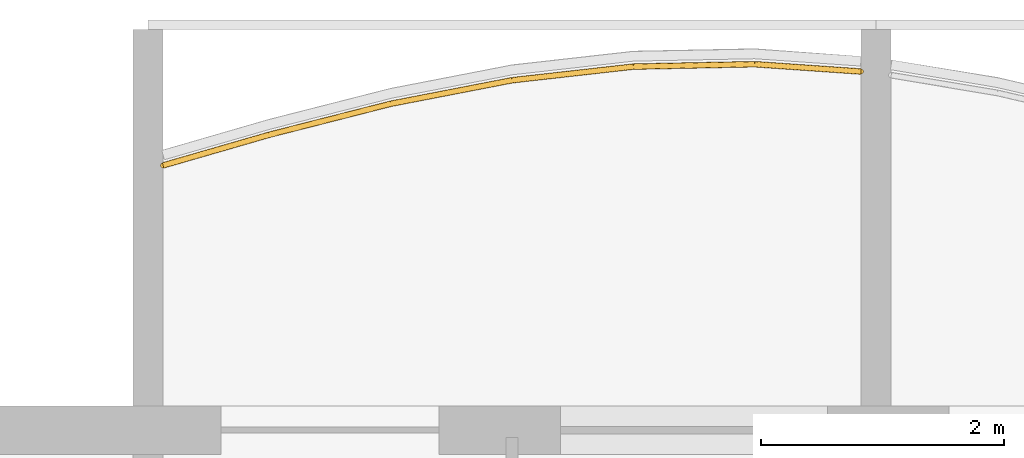
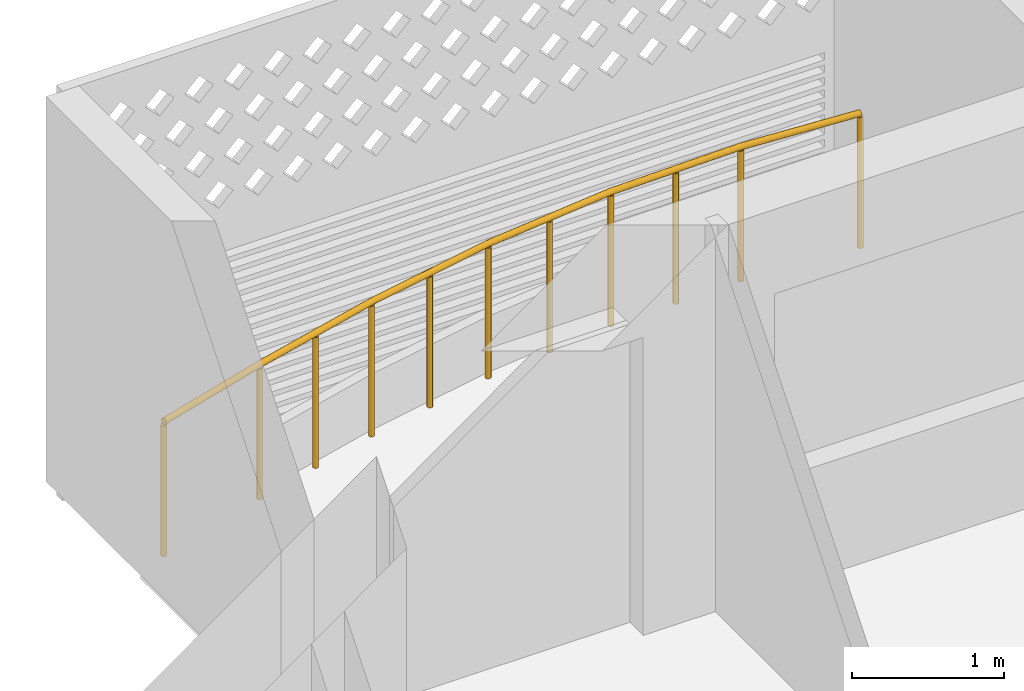
# One storey, part 16 of 27: 1 railing.
"""IFC4 building model written with IfcOpenShell, lengths in metres."""

import ifcopenshell
import ifcopenshell.guid

model = None  # the IFC model being written
_history = None  # IfcOwnerHistory: only IFC2X3 demands one
_inside = {}  # id of a spatial element -> (the spatial element, [elements in it])
_under = {}  # id of a project, library or spatial element -> (it, [spatial elements below it])
_declared = {}  # id of a project -> (the project, [libraries it declares])
_typed = {}  # id of a type object -> (the type object, [elements of that type])
_made_of = {}  # id of a material, layer set ... -> (it, [elements and type objects made of it])


def new_model(schema):
    """Start an empty IFC model of exactly this schema.

    Asked for "IFC4X3", IfcOpenShell would pick the latest addendum, in which some entities
    have other attributes; the version numbers below select the first issue.
    IFC2X3 requires an IfcOwnerHistory on every rooted entity: one is made here for all.
    """
    global model, _history
    if schema == "IFC4X3":
        model = ifcopenshell.file(schema_version=(4, 3, 0, 0))
    else:
        model = ifcopenshell.file(schema=schema)
    _inside.clear()
    _under.clear()
    _declared.clear()
    _typed.clear()
    _made_of.clear()
    _history = None
    if model.schema == "IFC2X3":
        org = make("IfcOrganization", Name="unknown")
        user = make(
            "IfcPersonAndOrganization",
            ThePerson=make("IfcPerson", FamilyName="unknown"),
            TheOrganization=org,
        )
        app = make(
            "IfcApplication",
            ApplicationDeveloper=org,
            Version="unknown",
            ApplicationFullName="unknown",
            ApplicationIdentifier="unknown",
        )
        _history = make(
            "IfcOwnerHistory",
            OwningUser=user,
            OwningApplication=app,
            ChangeAction="ADDED",
            CreationDate=0,
        )
    return model


def make(cls, **values):
    """One entity of the class cls with the attributes given. An attribute that is None is left unset."""
    return model.create_entity(
        cls, **{name: value for name, value in values.items() if value is not None}
    )


def rooted(cls, **values):
    """An entity with a GlobalId (a new one), such as an element, a storey or a relation."""
    return make(cls, GlobalId=ifcopenshell.guid.new(), OwnerHistory=_history, **values)


def si_unit(unit_type, name, prefix=None):
    """IfcSIUnit, for example si_unit("LENGTHUNIT", "METRE", prefix="MILLI")."""
    return make("IfcSIUnit", UnitType=unit_type, Prefix=prefix, Name=name)


def assignment(units):
    """IfcUnitAssignment: the units of a project."""
    return None if units is None else make("IfcUnitAssignment", Units=units)


def point(xyz):
    """IfcCartesianPoint."""
    return None if xyz is None else make("IfcCartesianPoint", Coordinates=xyz)


def direction(xyz):
    """IfcDirection."""
    return None if xyz is None else make("IfcDirection", DirectionRatios=xyz)


def frame(location, z_axis=None, x_axis=None):
    """IfcAxis2Placement3D, a coordinate frame: its origin and axes. An axis left out is left unset."""
    return make(
        "IfcAxis2Placement3D",
        Location=point(location),
        Axis=direction(z_axis),
        RefDirection=direction(x_axis),
    )


def frame_2d(location, x_axis=None):
    """IfcAxis2Placement2D, a coordinate frame in the plane: its origin and x axis."""
    return make(
        "IfcAxis2Placement2D", Location=point(location), RefDirection=direction(x_axis)
    )


def origin():
    """The frame at (0, 0, 0) with its axes left unset."""
    return frame((0.0, 0.0, 0.0))


def origin_2d():
    """The frame at (0, 0) in the plane with its x axis left unset."""
    return frame_2d((0.0, 0.0))


def place(relative_to, where):
    """IfcLocalPlacement: puts the frame where relative to a parent placement (None: the world)."""
    return make(
        "IfcLocalPlacement", PlacementRelTo=relative_to, RelativePlacement=where
    )


def context(
    kind, dimensions, precision=None, world=None, true_north=None, identifier=None
):
    """IfcGeometricRepresentationContext, for example the 3D "Model" context."""
    return make(
        "IfcGeometricRepresentationContext",
        ContextIdentifier=identifier,
        ContextType=kind,
        CoordinateSpaceDimension=dimensions,
        Precision=precision,
        WorldCoordinateSystem=world,
        TrueNorth=true_north,
    )


def subcontext(parent, identifier, kind, view, scale=None):
    """IfcGeometricRepresentationSubContext, for example "Body" below "Model"."""
    return make(
        "IfcGeometricRepresentationSubContext",
        ContextIdentifier=identifier,
        ContextType=kind,
        ParentContext=parent,
        TargetScale=scale,
        TargetView=view,
    )


def project(units=None, contexts=None):
    """IfcProject with its units and contexts."""
    return rooted(
        "IfcProject",
        Name="project",
        RepresentationContexts=contexts,
        UnitsInContext=assignment(units),
    )


def spatial(cls, under=None, at=None, **own):
    """A site, building, storey or space (cls), placed at a placement, below another one or the project."""
    s = rooted(cls, ObjectPlacement=at, **own)
    if under is not None:
        _under.setdefault(under.id(), (under, []))[1].append(s)
    return s


def profile(cls, at=None, kind="AREA", **sizes):
    """A parametric profile (cls). Its sizes go by their IFC names, for example OverallWidth=200.0."""
    return make(cls, ProfileType=kind, Position=at, **sizes)


def circle(**sizes):
    """IfcCircleProfileDef."""
    return profile("IfcCircleProfileDef", **sizes)


def extrude(swept, where, along, depth):
    """IfcExtrudedAreaSolid: the profile swept, set in the frame where, extruded along a direction by depth."""
    return make(
        "IfcExtrudedAreaSolid",
        SweptArea=swept,
        Position=where,
        ExtrudedDirection=direction(along),
        Depth=depth,
    )


def shape(context_of_items, identifier, shape_type, items):
    """IfcShapeRepresentation: the items that make up one representation, for example the "Body"."""
    return make(
        "IfcShapeRepresentation",
        ContextOfItems=context_of_items,
        RepresentationIdentifier=identifier,
        RepresentationType=shape_type,
        Items=items,
    )


def material(Name=None, Category=None):
    """IfcMaterial."""
    return make("IfcMaterial", Name=Name, Category=Category)


def made_of(thing, what):
    """Note that an element or type object is made of a material, layer set ...; save() writes the relation."""
    if what is not None:
        _made_of.setdefault(what.id(), (what, []))[1].append(thing)
    return thing


def type_object(cls, material=None, **own):
    """A type object (cls), such as IfcWallType, which elements share."""
    return made_of(rooted(cls, **own), material)


def element(
    cls,
    number,
    at=None,
    inside=None,
    cuts=None,
    type_object=None,
    material=None,
    context=None,
    identifier="Body",
    shape_type=None,
    held_by="IfcProductDefinitionShape",
    body=None,
    shapes=None,
    **own,
):
    """One element of the class cls, such as IfcWall. Its Tag is "e" and its number.

    at: its placement. inside: the storey or other place that contains it. cuts: it is an
    opening in that element (IfcRelVoidsElement). A single representation is given by context,
    identifier, shape_type and body (its items); several are given by shapes. held_by: the class
    of the entity that holds the representations. save() writes the other relations.
    """
    e = rooted(cls, Tag="e%d" % number, ObjectPlacement=at, **own)
    if body is not None:
        shapes = [shape(context, identifier, shape_type, body)]
    if shapes is not None:
        e.Representation = make(held_by, Representations=shapes)
    if inside is not None:
        _inside.setdefault(inside.id(), (inside, []))[1].append(e)
    if cuts is not None:
        rooted(
            "IfcRelVoidsElement", RelatingBuildingElement=cuts, RelatedOpeningElement=e
        )
    if type_object is not None:
        _typed.setdefault(type_object.id(), (type_object, []))[1].append(e)
    return made_of(e, material)


def aggregate(whole, parts):
    """IfcRelAggregates: a whole, such as a stair, and the parts it consists of."""
    return rooted("IfcRelAggregates", RelatingObject=whole, RelatedObjects=parts)


def save(model, path):
    """Write the relations noted so far, then the file.

    IfcRelAggregates (storeys below a building ...), IfcRelContainedInSpatialStructure (elements
    in a storey), IfcRelDefinesByType, IfcRelAssociatesMaterial and IfcRelDeclares: one each for
    every whole, place, type object, material and project.
    """
    for whole, parts in _under.values():
        aggregate(whole, parts)
    for where, things in _inside.values():
        rooted(
            "IfcRelContainedInSpatialStructure",
            RelatedElements=things,
            RelatingStructure=where,
        )
    for kind, things in _typed.values():
        rooted("IfcRelDefinesByType", RelatedObjects=things, RelatingType=kind)
    for what, things in _made_of.values():
        rooted("IfcRelAssociatesMaterial", RelatedObjects=things, RelatingMaterial=what)
    for by, libraries in _declared.values():
        rooted("IfcRelDeclares", RelatingContext=by, RelatedDefinitions=libraries)
    model.write(path)


model = new_model("IFC4")

# Units and contexts
model_context = context("Model", 3, precision=1e-05, world=origin(), true_north=direction((0.0, 1.0)))
body_context = subcontext(model_context, "Body", "Model", "MODEL_VIEW")
ifc_project = project(units=[si_unit("LENGTHUNIT", "METRE"), si_unit("AREAUNIT", "SQUARE_METRE"), si_unit("VOLUMEUNIT", "CUBIC_METRE"), si_unit("PLANEANGLEUNIT", "RADIAN"), si_unit("MASSUNIT", "GRAM", prefix="KILO")], contexts=[model_context])

# Site, building, storey
site_placement = place(None, origin())
site = spatial("IfcSite", under=ifc_project, at=site_placement, CompositionType="ELEMENT")
building_placement = place(site_placement, origin())
building = spatial("IfcBuilding", under=site, at=building_placement, Name="Poui Terraces", CompositionType="ELEMENT")
storey_placement = place(building_placement, frame((0.0, 0.0, 198.300048828125)))
storey = spatial("IfcBuildingStorey", under=building, at=storey_placement, Name="L55", CompositionType="ELEMENT", Elevation=198.300048828125)

# Railing
ifc_material = material(Name="Painted steel fretwork", Category="steel")
railing_type = type_object("IfcRailingType", Name="BALCONY GUARD 1100", PredefinedType="GUARDRAIL", material=ifc_material)
railing_placement = place(storey_placement, frame((24.125, 43.3818359375, 0.0)))
element("IfcRailing", 1, at=railing_placement, inside=storey, type_object=railing_type, Name="BALCONY GUARD", PredefinedType="GUARDRAIL", context=body_context, shape_type="SweptSolid", body=[
    extrude(circle(Radius=0.02392578125, at=origin_2d()), frame((0.0, 0.0, 1.076171875), z_axis=(0.960741180178, 0.27744618345, 0.0), x_axis=(-0.27744618345, 0.960741180178, 0.0)), (0.0, 0.0, 1.0), 0.91064453125),
    extrude(circle(Radius=0.02392578125, at=origin_2d()), frame((0.875, 0.252685546875, 1.076171875), z_axis=(0.968962333186, 0.247208407759, 0.0), x_axis=(-0.247208407759, 0.968962333186, 0.0)), (0.0, 0.0, 1.0), 1.031982421875),
    extrude(circle(Radius=0.02392578125, at=origin_2d()), frame((1.875, 0.5078125, 1.076171875), z_axis=(0.981724998512, 0.190305090044, 0.0), x_axis=(-0.190305090044, 0.981724998512, 0.0)), (0.0, 0.0, 1.0), 1.0185546875),
    extrude(circle(Radius=0.02392578125, at=origin_2d()), frame((2.875, 0.70166015625, 1.076171875), z_axis=(0.993725924527, 0.111842688283, 0.0), x_axis=(-0.111842688283, 0.993725924527, 0.0)), (0.0, 0.0, 1.0), 1.00634765625),
    extrude(circle(Radius=0.02392578125, at=origin_2d()), frame((3.875, 0.814208984375, 1.076171875), z_axis=(0.999804524294, 0.019771525017, 0.0), x_axis=(-0.019771525017, 0.999804524294, 0.0)), (0.0, 0.0, 1.0), 1.000244140625),
    extrude(circle(Radius=0.02392578125, at=origin_2d()), frame((4.875, 0.833984375, 1.076171875), z_axis=(0.997633621452, -0.068754326032, 0.0), x_axis=(0.068754326032, 0.997633621452, 0.0)), (0.0, 0.0, 1.0), 0.877197265625),
    extrude(circle(Radius=0.02099609375, at=origin_2d()), origin(), (0.0, 0.0, 1.0), 1.052001953125),
    extrude(circle(Radius=0.02099609375, at=origin_2d()), frame((0.875, 0.252685546875, 0.0)), (0.0, 0.0, 1.0), 1.052001953125),
    extrude(circle(Radius=0.02099609375, at=origin_2d()), frame((1.375, 0.38037109375, 0.0)), (0.0, 0.0, 1.0), 1.052001953125),
    extrude(circle(Radius=0.02099609375, at=origin_2d()), frame((1.875, 0.5078125, 0.0)), (0.0, 0.0, 1.0), 1.052001953125),
    extrude(circle(Radius=0.02099609375, at=origin_2d()), frame((2.375, 0.604736328125, 0.0)), (0.0, 0.0, 1.0), 1.052001953125),
    extrude(circle(Radius=0.02099609375, at=origin_2d()), frame((2.875, 0.70166015625, 0.0)), (0.0, 0.0, 1.0), 1.052001953125),
    extrude(circle(Radius=0.02099609375, at=origin_2d()), frame((3.375, 0.7578125, 0.0)), (0.0, 0.0, 1.0), 1.052001953125),
    extrude(circle(Radius=0.02099609375, at=origin_2d()), frame((3.875, 0.814208984375, 0.0)), (0.0, 0.0, 1.0), 1.052001953125),
    extrude(circle(Radius=0.02099609375, at=origin_2d()), frame((4.375, 0.82421875, 0.0)), (0.0, 0.0, 1.0), 1.052001953125),
    extrude(circle(Radius=0.02099609375, at=origin_2d()), frame((4.875, 0.833984375, 0.0)), (0.0, 0.0, 1.0), 1.052001953125),
    extrude(circle(Radius=0.02099609375, at=origin_2d()), frame((5.75, 0.773681640625, 0.0)), (0.0, 0.0, 1.0), 1.052001953125),
])

save(model, "model.ifc")
